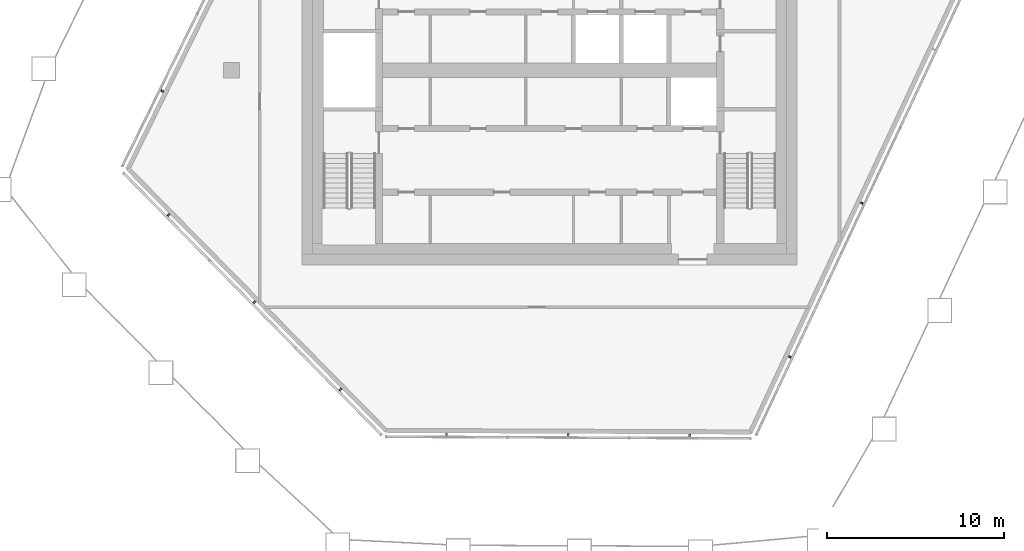
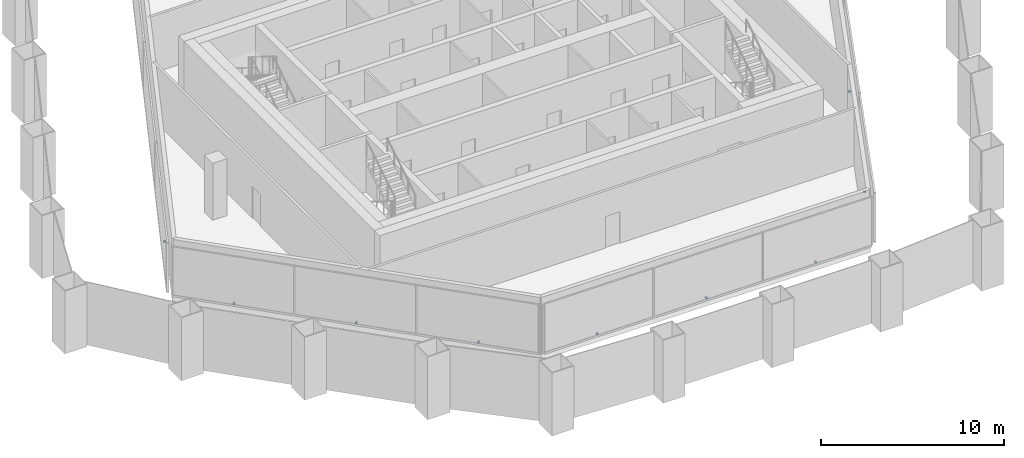
# One storey, part 10 of 18: 9 discrete accessories, 4 elements without a shape of their own.
"""IFC4 building model written with IfcOpenShell, lengths in metres."""

from ifc_helpers import new_model, si_unit, direction, frame, origin, origin_2d, place, context, subcontext, project, spatial, rectangle, extrude, material, layer, layer_set, type_object, element, aggregate, save


model = new_model("IFC4")

# Units and contexts
model_context = context("Model", 3, precision=1e-05, world=origin(), true_north=direction((0.0, 1.0)))
body_context = subcontext(model_context, "Body", "Model", "MODEL_VIEW")
ifc_project = project(units=[si_unit("LENGTHUNIT", "METRE"), si_unit("AREAUNIT", "SQUARE_METRE"), si_unit("VOLUMEUNIT", "CUBIC_METRE"), si_unit("PLANEANGLEUNIT", "RADIAN"), si_unit("MASSUNIT", "GRAM", prefix="KILO")], contexts=[model_context])

# Site, building, storey
site_placement = place(None, origin())
site = spatial("IfcSite", under=ifc_project, at=site_placement, CompositionType="ELEMENT")
building_placement = place(site_placement, origin())
building = spatial("IfcBuilding", under=site, at=building_placement, Name="Dongbaek Canopy Tower", CompositionType="ELEMENT")
storey_placement = place(building_placement, frame((0.0, 0.0, 367.39990234375)))
storey = spatial("IfcBuildingStorey", under=building, at=storey_placement, Name="L79", CompositionType="ELEMENT", Elevation=367.39990234375)

# Curtain wall, discrete accessories
ifc_material_1 = material(Name="Aluminium 6063-T6 pale anodised", Category="aluminium")
ifc_layer = layer(ifc_material_1, 0.14990234375)
ifc_layer_set = layer_set([ifc_layer], Name="CW-7 louvre curtain wall")
curtain_wall_type = type_object("IfcCurtainWallType", Name="CW-7 louvre curtain wall", PredefinedType="NOTDEFINED", material=ifc_layer_set)
curtain_wall_1_placement = place(storey_placement, origin())
curtain_wall_1 = element("IfcCurtainWall", 1, at=curtain_wall_1_placement, inside=storey, type_object=curtain_wall_type, Name="CW-7 louvre wall L79 F0", PredefinedType="NOTDEFINED")
ifc_material_2 = material(Name="Galvanised steel S355 bracket", Category="steel")
discrete_accessory_type = type_object("IfcDiscreteAccessoryType", Name="Louvre bracket BR1", PredefinedType="BRACKET", material=ifc_material_2)
discrete_accessory_1_placement = place(storey_placement, frame((-5.827880859375, -20.592041015625, 0.18994140625), z_axis=(0.0, 0.0, 1.0), x_axis=(0.999990026762, -0.004466136555, 0.0)))
discrete_accessory_1 = element("IfcDiscreteAccessory", 2, at=discrete_accessory_1_placement, type_object=discrete_accessory_type, Name="Louvre bracket L79 F0.1.1", PredefinedType="BRACKET", context=body_context, shape_type="SweptSolid", body=[
    extrude(rectangle(XDim=0.1201171875, YDim=0.14990234375, at=origin_2d()), origin(), (0.0, 0.0, 1.0), 0.10009765625),
])
discrete_accessory_2_placement = place(storey_placement, frame((1.050048828125, -20.622802734375, 0.18994140625), z_axis=(0.0, 0.0, 1.0), x_axis=(0.999990026762, -0.004466136555, 0.0)))
discrete_accessory_2 = element("IfcDiscreteAccessory", 3, at=discrete_accessory_2_placement, type_object=discrete_accessory_type, Name="Louvre bracket L79 F0.1.2", PredefinedType="BRACKET", context=body_context, shape_type="SweptSolid", body=[
    extrude(rectangle(XDim=0.1201171875, YDim=0.14990234375, at=origin_2d()), origin(), (0.0, 0.0, 1.0), 0.10009765625),
])
discrete_accessory_3_placement = place(storey_placement, frame((7.927734375, -20.6533203125, 0.18994140625), z_axis=(0.0, 0.0, 1.0), x_axis=(0.999990026762, -0.004466136555, 0.0)))
discrete_accessory_3 = element("IfcDiscreteAccessory", 4, at=discrete_accessory_3_placement, type_object=discrete_accessory_type, Name="Louvre bracket L79 F0.1.3", PredefinedType="BRACKET", context=body_context, shape_type="SweptSolid", body=[
    extrude(rectangle(XDim=0.1201171875, YDim=0.14990234375, at=origin_2d()), origin(), (0.0, 0.0, 1.0), 0.10009765625),
])
aggregate(curtain_wall_1, [discrete_accessory_1, discrete_accessory_2, discrete_accessory_3])

curtain_wall_2_placement = place(storey_placement, origin())
curtain_wall_2 = element("IfcCurtainWall", 5, at=curtain_wall_2_placement, inside=storey, type_object=curtain_wall_type, Name="CW-7 louvre wall L79 F1", PredefinedType="NOTDEFINED")
discrete_accessory_4_placement = place(storey_placement, frame((13.58447265625, -16.20654296875, 0.18994140625), z_axis=(0.0, 0.0, 1.0), x_axis=(0.42412286138, 0.905604659029, 0.0)))
discrete_accessory_4 = element("IfcDiscreteAccessory", 6, at=discrete_accessory_4_placement, type_object=discrete_accessory_type, Name="Louvre bracket L79 F1.1.1", PredefinedType="BRACKET", context=body_context, shape_type="SweptSolid", body=[
    extrude(rectangle(XDim=0.1201171875, YDim=0.14990234375, at=origin_2d()), origin(), (0.0, 0.0, 1.0), 0.10009765625),
])
discrete_accessory_5_placement = place(storey_placement, frame((17.65625, -7.51220703125, 0.18994140625), z_axis=(0.0, 0.0, 1.0), x_axis=(0.42412286138, 0.905604659029, 0.0)))
discrete_accessory_5 = element("IfcDiscreteAccessory", 7, at=discrete_accessory_5_placement, type_object=discrete_accessory_type, Name="Louvre bracket L79 F1.1.2", PredefinedType="BRACKET", context=body_context, shape_type="SweptSolid", body=[
    extrude(rectangle(XDim=0.1201171875, YDim=0.14990234375, at=origin_2d()), origin(), (0.0, 0.0, 1.0), 0.10009765625),
])
aggregate(curtain_wall_2, [discrete_accessory_4, discrete_accessory_5])

# Curtain wall, discrete accessory
curtain_wall_3_placement = place(storey_placement, origin())
curtain_wall_3 = element("IfcCurtainWall", 8, at=curtain_wall_3_placement, inside=storey, type_object=curtain_wall_type, Name="CW-7 louvre wall L79 F4", PredefinedType="NOTDEFINED")
discrete_accessory_6_placement = place(storey_placement, frame((-21.911865234375, -1.171875, 0.18994140625), z_axis=(0.0, 0.0, 1.0), x_axis=(-0.441341619439, -0.897339163834, 0.0)))
discrete_accessory_6 = element("IfcDiscreteAccessory", 9, at=discrete_accessory_6_placement, type_object=discrete_accessory_type, Name="Louvre bracket L79 F4.1.3", PredefinedType="BRACKET", context=body_context, shape_type="SweptSolid", body=[
    extrude(rectangle(XDim=0.1201171875, YDim=0.14990234375, at=origin_2d()), origin(), (0.0, 0.0, 1.0), 0.10009765625),
])
aggregate(curtain_wall_3, [discrete_accessory_6])

# Curtain wall, discrete accessories
curtain_wall_4_placement = place(storey_placement, origin())
curtain_wall_4 = element("IfcCurtainWall", 10, at=curtain_wall_4_placement, inside=storey, type_object=curtain_wall_type, Name="CW-7 louvre wall L79 F5", PredefinedType="NOTDEFINED")
discrete_accessory_7_placement = place(storey_placement, frame((-21.562744140625, -8.176513671875, 0.18994140625), z_axis=(0.0, 0.0, 1.0), x_axis=(0.70171826998, -0.712454538603, 0.0)))
discrete_accessory_7 = element("IfcDiscreteAccessory", 11, at=discrete_accessory_7_placement, type_object=discrete_accessory_type, Name="Louvre bracket L79 F5.1.1", PredefinedType="BRACKET", context=body_context, shape_type="SweptSolid", body=[
    extrude(rectangle(XDim=0.1201171875, YDim=0.14990234375, at=origin_2d()), origin(), (0.0, 0.0, 1.0), 0.10009765625),
])
discrete_accessory_8_placement = place(storey_placement, frame((-16.700927734375, -13.11279296875, 0.18994140625), z_axis=(0.0, 0.0, 1.0), x_axis=(0.70171826998, -0.712454538603, 0.0)))
discrete_accessory_8 = element("IfcDiscreteAccessory", 12, at=discrete_accessory_8_placement, type_object=discrete_accessory_type, Name="Louvre bracket L79 F5.1.2", PredefinedType="BRACKET", context=body_context, shape_type="SweptSolid", body=[
    extrude(rectangle(XDim=0.1201171875, YDim=0.14990234375, at=origin_2d()), origin(), (0.0, 0.0, 1.0), 0.10009765625),
])
discrete_accessory_9_placement = place(storey_placement, frame((-11.839111328125, -18.048828125, 0.18994140625), z_axis=(0.0, 0.0, 1.0), x_axis=(0.70171826998, -0.712454538603, 0.0)))
discrete_accessory_9 = element("IfcDiscreteAccessory", 13, at=discrete_accessory_9_placement, type_object=discrete_accessory_type, Name="Louvre bracket L79 F5.1.3", PredefinedType="BRACKET", context=body_context, shape_type="SweptSolid", body=[
    extrude(rectangle(XDim=0.1201171875, YDim=0.14990234375, at=origin_2d()), origin(), (0.0, 0.0, 1.0), 0.10009765625),
])
aggregate(curtain_wall_4, [discrete_accessory_7, discrete_accessory_8, discrete_accessory_9])

save(model, "model.ifc")
